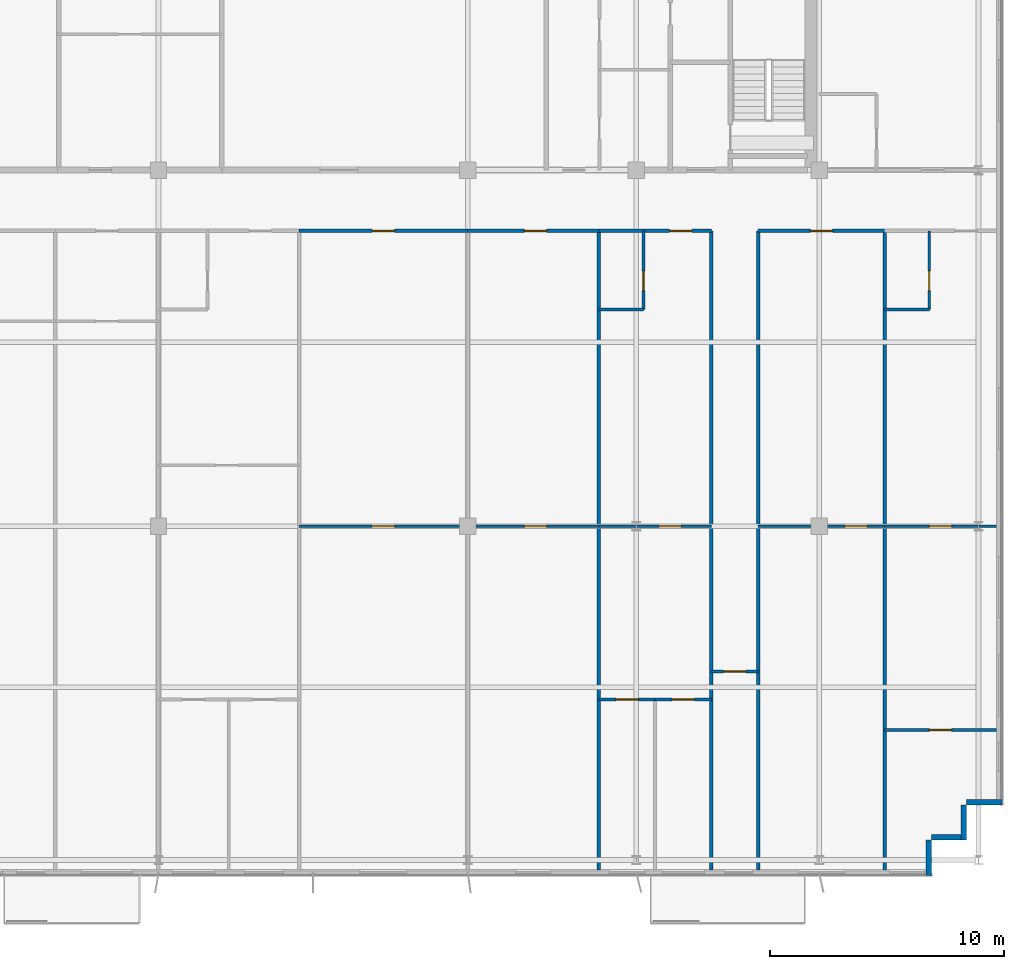
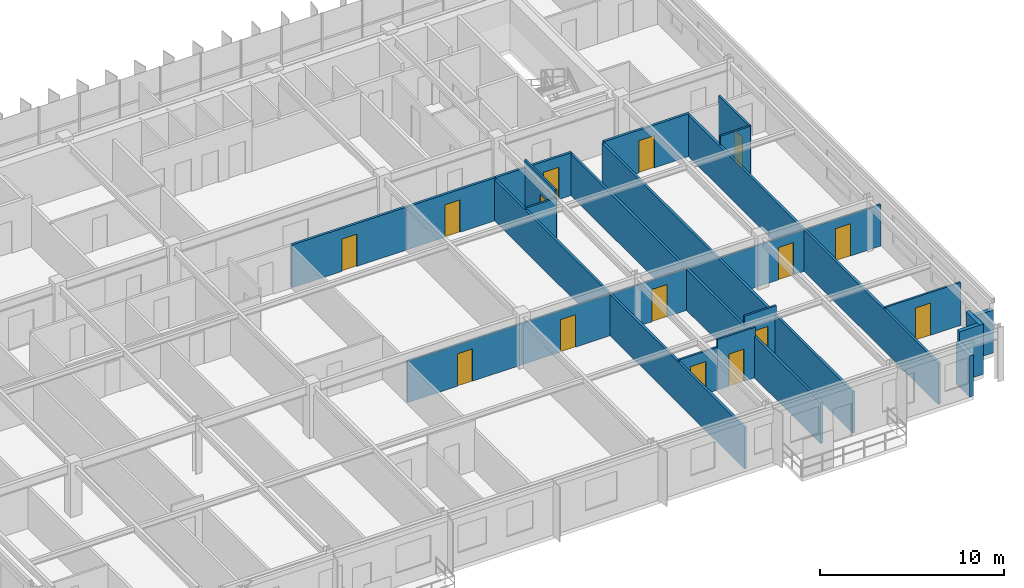
# One storey, part 16 of 21: 25 walls, 15 doors, 15 openings.
"""IFC4 building model written with IfcOpenShell, lengths in metres."""

from ifc_helpers import new_model, si_unit, direction, frame, frame_2d, origin, place, context, subcontext, project, spatial, rectangle, extrude, source, transform, mapped, material, layer, layer_set, type_object, element, fill, save


model = new_model("IFC4")

# Units and contexts
model_context = context("Model", 3, precision=1e-05, world=origin(), true_north=direction((0.0, 1.0)))
body_context = subcontext(model_context, "Body", "Model", "MODEL_VIEW")
ifc_project = project(units=[si_unit("LENGTHUNIT", "METRE"), si_unit("AREAUNIT", "SQUARE_METRE"), si_unit("VOLUMEUNIT", "CUBIC_METRE"), si_unit("PLANEANGLEUNIT", "RADIAN"), si_unit("MASSUNIT", "GRAM", prefix="KILO")], contexts=[model_context])

# Site, building, storey
site_placement = place(None, origin())
site = spatial("IfcSite", under=ifc_project, at=site_placement, CompositionType="ELEMENT")
building_placement = place(site_placement, origin())
building = spatial("IfcBuilding", under=site, at=building_placement, Name="Trelvane Seafront Commons", CompositionType="ELEMENT")
storey_placement = place(building_placement, frame((0.0, 0.0, 160.89990234375)))
storey = spatial("IfcBuildingStorey", under=building, at=storey_placement, Name="L42", CompositionType="ELEMENT", Elevation=160.89990234375)

# Walls
ifc_material_1 = material(Name="Precast concrete C40/50", Category="concrete")
ifc_layer_1 = layer(ifc_material_1, 0.239990234375, Name="ARCH-WALL-EXT240")
ifc_layer_set_1 = layer_set([ifc_layer_1], Name="Precast concrete C40/50")
wall_type_1 = type_object("IfcWallType", Name="ARCH-WALL-EXT240", PredefinedType="SOLIDWALL", material=ifc_layer_set_1)
wall_1_placement = place(storey_placement, frame((66.60009765625, 6.419921875, 0.0), z_axis=(0.0, 0.0, 1.0), x_axis=(-1.0, 0.0, 0.0)))
element("IfcWall", 1, at=wall_1_placement, inside=storey, type_object=wall_type_1, Name="EW-L42-00836", PredefinedType="SOLIDWALL", context=body_context, shape_type="SweptSolid", body=[
    extrude(rectangle(XDim=1.5, YDim=0.239990234375, at=frame_2d((0.75, 0.0))), origin(), (0.0, 0.0, 1.0), 2.85009765625),
])
for number, where, z_axis, x_axis, name in (
    (2, (64.97998046875, 6.300048828125, 0.0), (0.0, 0.0, 1.0), (0.0, -1.0, 0.0), "EW-L42-00837"),
    (3, (65.10009765625, 4.919921875, 0.0), (0.0, 0.0, 1.0), (-1.0, 0.0, 0.0), "EW-L42-00838"),
):
    element("IfcWall", number, at=place(storey_placement, frame(where, z_axis=z_axis, x_axis=x_axis)), inside=storey, type_object=wall_type_1, Name=name, PredefinedType="SOLIDWALL", context=body_context, shape_type="SweptSolid", body=[
        extrude(rectangle(XDim=1.5, YDim=0.239990234375, at=frame_2d((0.75, 0.0))), origin(), (0.0, 0.0, 1.0), 3.35009765625),
    ])
wall_2_placement = place(storey_placement, frame((63.47998046875, 4.800048828125, 0.0), z_axis=(0.0, 0.0, 1.0), x_axis=(0.0, -1.0, 0.0)))
element("IfcWall", 4, at=wall_2_placement, inside=storey, type_object=wall_type_1, Name="EW-L42-00839", PredefinedType="SOLIDWALL", context=body_context, shape_type="SweptSolid", body=[
    extrude(rectangle(XDim=1.5, YDim=0.239990234375, at=frame_2d((0.75, 0.0))), origin(), (0.0, 0.0, 1.0), 2.75),
])

# Wall, opening, door
ifc_material_2 = material(Name="Gypsum Drywall Acoustic Partition")
ifc_layer_2 = layer(ifc_material_2, 0.1201171875, Name="ARCH-WALL-PART120")
ifc_layer_set_2 = layer_set([ifc_layer_2], Name="Gypsum Drywall Acoustic Partition")
wall_type_2 = type_object("IfcWallType", Name="ARCH-WALL-PART120", PredefinedType="PARTITIONING", material=ifc_layer_set_2)
wall_3_placement = place(storey_placement, frame((36.60009765625, 18.199951171875, 0.0), z_axis=(0.0, 0.0, 1.0), x_axis=(1.0, 0.0, 0.0)))
wall_3 = element("IfcWall", 5, at=wall_3_placement, inside=storey, type_object=wall_type_2, Name="W-L42-U7-DIV-075", PredefinedType="PARTITIONING", context=body_context, shape_type="SweptSolid", body=[
    extrude(rectangle(XDim=7.199951171875, YDim=0.1201171875, at=frame_2d((3.60009765625, 0.0))), origin(), (0.0, 0.0, 1.0), 2.75),
])
opening_1_placement = place(wall_3_placement, frame((3.125, 0.0, 0.0)))
opening_1 = element("IfcOpeningElement", 6, at=opening_1_placement, cuts=wall_3, Name="Opening D-L42-45", PredefinedType="OPENING", context=body_context, shape_type="SweptSolid", body=[
    extrude(rectangle(XDim=0.949951171875, YDim=2.14990234375, at=frame_2d((0.47509765625, 1.074951171875))), frame((0.0, 0.070068359375, 0.0), z_axis=(0.0, -1.0, 0.0), x_axis=(1.0, 0.0, 0.0)), (0.0, 0.0, 1.0), 0.14013671875),
])
ifc_material_3 = material(Name="Acoustic timber door leaf", Category="wood")
door_type_1 = type_object("IfcDoorType", Name="ARCH-DR-INT950", OperationType="NOTDEFINED", PredefinedType="DOOR", material=ifc_material_3)
shared_shape_1 = source(origin(), body_context, "Body", "SweptSolid", [
    extrude(rectangle(XDim=0.949951171875, YDim=2.14990234375, at=frame_2d((0.47509765625, 1.074951171875))), frame((0.0, 0.02490234375, 0.0), z_axis=(0.0, -1.0, 0.0), x_axis=(1.0, 0.0, 0.0)), (0.0, 0.0, 1.0), 0.050048828125),
])
door_1_placement = place(opening_1_placement, origin())
door_1 = element("IfcDoor", 7, at=door_1_placement, inside=storey, type_object=door_type_1, Name="L42 Door 45", OperationType="SINGLE_SWING_LEFT", OverallHeight=2.14990234375, OverallWidth=0.949951171875, PredefinedType="DOOR", context=body_context, shape_type="MappedRepresentation", body=[
    mapped(shared_shape_1, transform((0.0, 0.0, 0.0), x_axis=(1.0, 0.0, 0.0), y_axis=(0.0, 1.0, 0.0), z_axis=(0.0, 0.0, 1.0), scale=1.0)),
])
fill(opening_1, door_1)

wall_4_placement = place(storey_placement, frame((43.800048828125, 18.199951171875, 0.0), z_axis=(0.0, 0.0, 1.0), x_axis=(1.0, 0.0, 0.0)))
wall_4 = element("IfcWall", 8, at=wall_4_placement, inside=storey, type_object=wall_type_2, Name="W-L42-U8-DIV-077", PredefinedType="PARTITIONING", context=body_context, shape_type="SweptSolid", body=[
    extrude(rectangle(XDim=5.599853515625, YDim=0.1201171875, at=frame_2d((2.7998046875, 0.0))), origin(), (0.0, 0.0, 1.0), 2.75),
])
opening_2_placement = place(wall_4_placement, frame((2.41796875, 0.0, 0.0)))
opening_2 = element("IfcOpeningElement", 9, at=opening_2_placement, cuts=wall_4, Name="Opening D-L42-47", PredefinedType="OPENING", context=body_context, shape_type="SweptSolid", body=[
    extrude(rectangle(XDim=0.949951171875, YDim=2.14990234375, at=frame_2d((0.47509765625, 1.074951171875))), frame((0.0, 0.070068359375, 0.0), z_axis=(0.0, -1.0, 0.0), x_axis=(1.0, 0.0, 0.0)), (0.0, 0.0, 1.0), 0.14013671875),
])
door_2_placement = place(opening_2_placement, origin())
door_2 = element("IfcDoor", 10, at=door_2_placement, inside=storey, type_object=door_type_1, Name="L42 Door 47", OperationType="SINGLE_SWING_LEFT", OverallHeight=2.14990234375, OverallWidth=0.949951171875, PredefinedType="DOOR", context=body_context, shape_type="MappedRepresentation", body=[
    mapped(shared_shape_1, transform((0.0, 0.0, 0.0), x_axis=(1.0, 0.0, 0.0), y_axis=(0.0, 1.0, 0.0), z_axis=(0.0, 0.0, 1.0), scale=1.0)),
])
fill(opening_2, door_2)

wall_5_placement = place(storey_placement, frame((49.39990234375, 18.199951171875, 0.0), z_axis=(0.0, 0.0, 1.0), x_axis=(1.0, 0.0, 0.0)))
wall_5 = element("IfcWall", 11, at=wall_5_placement, inside=storey, type_object=wall_type_2, Name="W-L42-U9-KL-078", PredefinedType="PARTITIONING", context=body_context, shape_type="SweptSolid", body=[
    extrude(rectangle(XDim=4.800048828125, YDim=0.1201171875, at=frame_2d((2.39990234375, 0.0))), origin(), (0.0, 0.0, 1.0), 2.75),
])
opening_3_placement = place(wall_5_placement, frame((2.56103515625, 0.0, 0.0)))
opening_3 = element("IfcOpeningElement", 12, at=opening_3_placement, cuts=wall_5, Name="Opening D-L42-48", PredefinedType="OPENING", context=body_context, shape_type="SweptSolid", body=[
    extrude(rectangle(XDim=0.949951171875, YDim=2.14990234375, at=frame_2d((0.47509765625, 1.074951171875))), frame((0.0, 0.070068359375, 0.0), z_axis=(0.0, -1.0, 0.0), x_axis=(1.0, 0.0, 0.0)), (0.0, 0.0, 1.0), 0.14013671875),
])
door_3_placement = place(opening_3_placement, origin())
door_3 = element("IfcDoor", 13, at=door_3_placement, inside=storey, type_object=door_type_1, Name="L42 Door 48", OperationType="SINGLE_SWING_RIGHT", OverallHeight=2.14990234375, OverallWidth=0.949951171875, PredefinedType="DOOR", context=body_context, shape_type="MappedRepresentation", body=[
    mapped(shared_shape_1, transform((0.0, 0.0, 0.0), x_axis=(1.0, 0.0, 0.0), y_axis=(0.0, 1.0, 0.0), z_axis=(0.0, 0.0, 1.0), scale=1.0)),
])
fill(opening_3, door_3)

wall_6_placement = place(storey_placement, frame((51.300048828125, 27.449951171875, 0.0), z_axis=(0.0, 0.0, 1.0), x_axis=(0.0, 1.0, 0.0)))
wall_6 = element("IfcWall", 14, at=wall_6_placement, inside=storey, type_object=wall_type_2, Name="W-L42-U9-BE-079", PredefinedType="PARTITIONING", context=body_context, shape_type="SweptSolid", body=[
    extrude(rectangle(XDim=3.35009765625, YDim=0.1201171875, at=frame_2d((1.675048828125, 0.0))), origin(), (0.0, 0.0, 1.0), 3.35009765625),
])
opening_4_placement = place(wall_6_placement, frame((0.800048828125, 0.0, 0.0)))
opening_4 = element("IfcOpeningElement", 15, at=opening_4_placement, cuts=wall_6, Name="Opening D-L42-49", PredefinedType="OPENING", context=body_context, shape_type="SweptSolid", body=[
    extrude(rectangle(XDim=0.85009765625, YDim=2.10009765625, at=frame_2d((0.425048828125, 1.050048828125))), frame((0.0, 0.070068359375, 0.0), z_axis=(0.0, -1.0, 0.0), x_axis=(1.0, 0.0, 0.0)), (0.0, 0.0, 1.0), 0.14013671875),
])
door_type_2 = type_object("IfcDoorType", Name="ARCH-DR-INT850", OperationType="NOTDEFINED", PredefinedType="DOOR", material=ifc_material_3)
shared_shape_2 = source(origin(), body_context, "Body", "SweptSolid", [
    extrude(rectangle(XDim=0.85009765625, YDim=2.10009765625, at=frame_2d((0.425048828125, 1.050048828125))), frame((0.0, 0.02490234375, 0.0), z_axis=(0.0, -1.0, 0.0), x_axis=(1.0, 0.0, 0.0)), (0.0, 0.0, 1.0), 0.050048828125),
])
door_4_placement = place(opening_4_placement, origin())
door_4 = element("IfcDoor", 16, at=door_4_placement, inside=storey, type_object=door_type_2, Name="L42 Door 49", OperationType="SINGLE_SWING_LEFT", OverallHeight=2.10009765625, OverallWidth=0.85009765625, PredefinedType="DOOR", context=body_context, shape_type="MappedRepresentation", body=[
    mapped(shared_shape_2, transform((0.0, 0.0, 0.0), x_axis=(1.0, 0.0, 0.0), y_axis=(0.0, 1.0, 0.0), z_axis=(0.0, 0.0, 1.0), scale=1.0)),
])
fill(opening_4, door_4)

# Wall
wall_7_placement = place(storey_placement, frame((49.39990234375, 27.449951171875, 0.0), z_axis=(0.0, 0.0, 1.0), x_axis=(1.0, 0.0, 0.0)))
element("IfcWall", 17, at=wall_7_placement, inside=storey, type_object=wall_type_2, Name="W-L42-U9-BS-080", PredefinedType="PARTITIONING", context=body_context, shape_type="SweptSolid", body=[
    extrude(rectangle(XDim=1.900146484375, YDim=0.1201171875, at=frame_2d((0.9501953125, 0.0))), origin(), (0.0, 0.0, 1.0), 2.85009765625),
])

# Wall, opening, door
wall_8_placement = place(storey_placement, frame((49.39990234375, 10.800048828125, 0.0), z_axis=(0.0, 0.0, 1.0), x_axis=(1.0, 0.0, 0.0)))
wall_8 = element("IfcWall", 18, at=wall_8_placement, inside=storey, type_object=wall_type_2, Name="W-L42-U9-YM-1-082", PredefinedType="PARTITIONING", context=body_context, shape_type="SweptSolid", body=[
    extrude(rectangle(XDim=2.400146484375, YDim=0.1201171875, at=frame_2d((1.2001953125, 0.0))), origin(), (0.0, 0.0, 1.0), 2.85009765625),
])
opening_5_placement = place(wall_8_placement, frame((0.72509765625, 0.0, 0.0)))
opening_5 = element("IfcOpeningElement", 19, at=opening_5_placement, cuts=wall_8, Name="Opening D-L42-51", PredefinedType="OPENING", context=body_context, shape_type="SweptSolid", body=[
    extrude(rectangle(XDim=0.949951171875, YDim=2.14990234375, at=frame_2d((0.47509765625, 1.074951171875))), frame((0.0, 0.070068359375, 0.0), z_axis=(0.0, -1.0, 0.0), x_axis=(1.0, 0.0, 0.0)), (0.0, 0.0, 1.0), 0.14013671875),
])
door_5_placement = place(opening_5_placement, origin())
door_5 = element("IfcDoor", 20, at=door_5_placement, inside=storey, type_object=door_type_1, Name="L42 Door 51", OperationType="SINGLE_SWING_LEFT", OverallHeight=2.14990234375, OverallWidth=0.949951171875, PredefinedType="DOOR", context=body_context, shape_type="MappedRepresentation", body=[
    mapped(shared_shape_1, transform((0.0, 0.0, 0.0), x_axis=(1.0, 0.0, 0.0), y_axis=(0.0, 1.0, 0.0), z_axis=(0.0, 0.0, 1.0), scale=1.0)),
])
fill(opening_5, door_5)

wall_9_placement = place(storey_placement, frame((51.800048828125, 10.800048828125, 0.0), z_axis=(0.0, 0.0, 1.0), x_axis=(1.0, 0.0, 0.0)))
wall_9 = element("IfcWall", 21, at=wall_9_placement, inside=storey, type_object=wall_type_2, Name="W-L42-U9-YM-2-083", PredefinedType="PARTITIONING", context=body_context, shape_type="SweptSolid", body=[
    extrude(rectangle(XDim=2.39990234375, YDim=0.1201171875, at=frame_2d((1.199951171875, 0.0))), origin(), (0.0, 0.0, 1.0), 3.35009765625),
])
opening_6_placement = place(wall_9_placement, frame((0.72509765625, 0.0, 0.0)))
opening_6 = element("IfcOpeningElement", 22, at=opening_6_placement, cuts=wall_9, Name="Opening D-L42-52", PredefinedType="OPENING", context=body_context, shape_type="SweptSolid", body=[
    extrude(rectangle(XDim=0.949951171875, YDim=2.14990234375, at=frame_2d((0.47509765625, 1.074951171875))), frame((0.0, 0.070068359375, 0.0), z_axis=(0.0, -1.0, 0.0), x_axis=(1.0, 0.0, 0.0)), (0.0, 0.0, 1.0), 0.14013671875),
])
door_6_placement = place(opening_6_placement, origin())
door_6 = element("IfcDoor", 23, at=door_6_placement, inside=storey, type_object=door_type_1, Name="L42 Door 52", OperationType="SINGLE_SWING_RIGHT", OverallHeight=2.14990234375, OverallWidth=0.949951171875, PredefinedType="DOOR", context=body_context, shape_type="MappedRepresentation", body=[
    mapped(shared_shape_1, transform((0.0, 0.0, 0.0), x_axis=(1.0, 0.0, 0.0), y_axis=(0.0, 1.0, 0.0), z_axis=(0.0, 0.0, 1.0), scale=1.0)),
])
fill(opening_6, door_6)

wall_10_placement = place(storey_placement, frame((54.199951171875, 12.0, 0.0), z_axis=(0.0, 0.0, 1.0), x_axis=(1.0, 0.0, 0.0)))
wall_10 = element("IfcWall", 24, at=wall_10_placement, inside=storey, type_object=wall_type_2, Name="W-L42-ARM-END-10-087", PredefinedType="PARTITIONING", context=body_context, shape_type="SweptSolid", body=[
    extrude(rectangle(XDim=2.0, YDim=0.1201171875, at=frame_2d((1.0, 0.0))), origin(), (0.0, 0.0, 1.0), 3.35009765625),
])
opening_7_placement = place(wall_10_placement, frame((0.52001953125, 0.0, 0.0)))
opening_7 = element("IfcOpeningElement", 25, at=opening_7_placement, cuts=wall_10, Name="Opening D-L42-53", PredefinedType="OPENING", context=body_context, shape_type="SweptSolid", body=[
    extrude(rectangle(XDim=0.949951171875, YDim=2.14990234375, at=frame_2d((0.47509765625, 1.074951171875))), frame((0.0, 0.070068359375, 0.0), z_axis=(0.0, -1.0, 0.0), x_axis=(1.0, 0.0, 0.0)), (0.0, 0.0, 1.0), 0.14013671875),
])
door_7_placement = place(opening_7_placement, origin())
door_7 = element("IfcDoor", 26, at=door_7_placement, inside=storey, type_object=door_type_1, Name="L42 Door 53", OperationType="SINGLE_SWING_LEFT", OverallHeight=2.14990234375, OverallWidth=0.949951171875, PredefinedType="DOOR", context=body_context, shape_type="MappedRepresentation", body=[
    mapped(shared_shape_1, transform((0.0, 0.0, 0.0), x_axis=(1.0, 0.0, 0.0), y_axis=(0.0, 1.0, 0.0), z_axis=(0.0, 0.0, 1.0), scale=1.0)),
])
fill(opening_7, door_7)

wall_11_placement = place(storey_placement, frame((56.199951171875, 18.199951171875, 0.0), z_axis=(0.0, 0.0, 1.0), x_axis=(1.0, 0.0, 0.0)))
wall_11 = element("IfcWall", 27, at=wall_11_placement, inside=storey, type_object=wall_type_2, Name="W-L42-U11-DIV-089", PredefinedType="PARTITIONING", context=body_context, shape_type="SweptSolid", body=[
    extrude(rectangle(XDim=5.400146484375, YDim=0.1201171875, at=frame_2d((2.7001953125, 0.0))), origin(), (0.0, 0.0, 1.0), 2.75),
])
opening_8_placement = place(wall_11_placement, frame((3.700927734375, 0.0, 0.0)))
opening_8 = element("IfcOpeningElement", 28, at=opening_8_placement, cuts=wall_11, Name="Opening D-L42-55", PredefinedType="OPENING", context=body_context, shape_type="SweptSolid", body=[
    extrude(rectangle(XDim=0.949951171875, YDim=2.14990234375, at=frame_2d((0.47509765625, 1.074951171875))), frame((0.0, 0.070068359375, 0.0), z_axis=(0.0, -1.0, 0.0), x_axis=(1.0, 0.0, 0.0)), (0.0, 0.0, 1.0), 0.14013671875),
])
door_8_placement = place(opening_8_placement, origin())
door_8 = element("IfcDoor", 29, at=door_8_placement, inside=storey, type_object=door_type_1, Name="L42 Door 55", OperationType="SINGLE_SWING_LEFT", OverallHeight=2.14990234375, OverallWidth=0.949951171875, PredefinedType="DOOR", context=body_context, shape_type="MappedRepresentation", body=[
    mapped(shared_shape_1, transform((0.0, 0.0, 0.0), x_axis=(1.0, 0.0, 0.0), y_axis=(0.0, 1.0, 0.0), z_axis=(0.0, 0.0, 1.0), scale=1.0)),
])
fill(opening_8, door_8)

wall_12_placement = place(storey_placement, frame((61.60009765625, 18.199951171875, 0.0), z_axis=(0.0, 0.0, 1.0), x_axis=(1.0, 0.0, 0.0)))
wall_12 = element("IfcWall", 30, at=wall_12_placement, inside=storey, type_object=wall_type_2, Name="W-L42-U12-KL-090", PredefinedType="PARTITIONING", context=body_context, shape_type="SweptSolid", body=[
    extrude(rectangle(XDim=4.760009765625, YDim=0.1201171875, at=frame_2d((2.3798828125, 0.0))), origin(), (0.0, 0.0, 1.0), 2.75),
])
opening_9_placement = place(wall_12_placement, frame((1.905029296875, 0.0, 0.0)))
opening_9 = element("IfcOpeningElement", 31, at=opening_9_placement, cuts=wall_12, Name="Opening D-L42-56", PredefinedType="OPENING", context=body_context, shape_type="SweptSolid", body=[
    extrude(rectangle(XDim=0.949951171875, YDim=2.14990234375, at=frame_2d((0.47509765625, 1.074951171875))), frame((0.0, 0.070068359375, 0.0), z_axis=(0.0, -1.0, 0.0), x_axis=(1.0, 0.0, 0.0)), (0.0, 0.0, 1.0), 0.14013671875),
])
door_9_placement = place(opening_9_placement, origin())
door_9 = element("IfcDoor", 32, at=door_9_placement, inside=storey, type_object=door_type_1, Name="L42 Door 56", OperationType="SINGLE_SWING_RIGHT", OverallHeight=2.14990234375, OverallWidth=0.949951171875, PredefinedType="DOOR", context=body_context, shape_type="MappedRepresentation", body=[
    mapped(shared_shape_1, transform((0.0, 0.0, 0.0), x_axis=(1.0, 0.0, 0.0), y_axis=(0.0, 1.0, 0.0), z_axis=(0.0, 0.0, 1.0), scale=1.0)),
])
fill(opening_9, door_9)

wall_13_placement = place(storey_placement, frame((63.5, 27.449951171875, 0.0), z_axis=(0.0, 0.0, 1.0), x_axis=(0.0, 1.0, 0.0)))
wall_13 = element("IfcWall", 33, at=wall_13_placement, inside=storey, type_object=wall_type_2, Name="W-L42-U12-BE-091", PredefinedType="PARTITIONING", context=body_context, shape_type="SweptSolid", body=[
    extrude(rectangle(XDim=3.35009765625, YDim=0.1201171875, at=frame_2d((1.675048828125, 0.0))), origin(), (0.0, 0.0, 1.0), 3.35009765625),
])
opening_10_placement = place(wall_13_placement, frame((0.800048828125, 0.0, 0.0)))
opening_10 = element("IfcOpeningElement", 34, at=opening_10_placement, cuts=wall_13, Name="Opening D-L42-57", PredefinedType="OPENING", context=body_context, shape_type="SweptSolid", body=[
    extrude(rectangle(XDim=0.85009765625, YDim=2.10009765625, at=frame_2d((0.425048828125, 1.050048828125))), frame((0.0, 0.070068359375, 0.0), z_axis=(0.0, -1.0, 0.0), x_axis=(1.0, 0.0, 0.0)), (0.0, 0.0, 1.0), 0.14013671875),
])
door_10_placement = place(opening_10_placement, origin())
door_10 = element("IfcDoor", 35, at=door_10_placement, inside=storey, type_object=door_type_2, Name="L42 Door 57", OperationType="SINGLE_SWING_LEFT", OverallHeight=2.10009765625, OverallWidth=0.85009765625, PredefinedType="DOOR", context=body_context, shape_type="MappedRepresentation", body=[
    mapped(shared_shape_2, transform((0.0, 0.0, 0.0), x_axis=(1.0, 0.0, 0.0), y_axis=(0.0, 1.0, 0.0), z_axis=(0.0, 0.0, 1.0), scale=1.0)),
])
fill(opening_10, door_10)

# Wall
wall_14_placement = place(storey_placement, frame((61.60009765625, 27.449951171875, 0.0), z_axis=(0.0, 0.0, 1.0), x_axis=(1.0, 0.0, 0.0)))
element("IfcWall", 36, at=wall_14_placement, inside=storey, type_object=wall_type_2, Name="W-L42-U12-BS-092", PredefinedType="PARTITIONING", context=body_context, shape_type="SweptSolid", body=[
    extrude(rectangle(XDim=1.89990234375, YDim=0.1201171875, at=frame_2d((0.949951171875, 0.0))), origin(), (0.0, 0.0, 1.0), 3.35009765625),
])

# Wall, opening, door
wall_15_placement = place(storey_placement, frame((61.60009765625, 9.5, 0.0), z_axis=(0.0, 0.0, 1.0), x_axis=(1.0, 0.0, 0.0)))
wall_15 = element("IfcWall", 37, at=wall_15_placement, inside=storey, type_object=wall_type_2, Name="W-L42-U12-YM-1-094", PredefinedType="PARTITIONING", context=body_context, shape_type="SweptSolid", body=[
    extrude(rectangle(XDim=4.760009765625, YDim=0.1201171875, at=frame_2d((2.3798828125, 0.0))), origin(), (0.0, 0.0, 1.0), 2.85009765625),
])
opening_11_placement = place(wall_15_placement, frame((1.905029296875, 0.0, 0.0)))
opening_11 = element("IfcOpeningElement", 38, at=opening_11_placement, cuts=wall_15, Name="Opening D-L42-59", PredefinedType="OPENING", context=body_context, shape_type="SweptSolid", body=[
    extrude(rectangle(XDim=0.949951171875, YDim=2.14990234375, at=frame_2d((0.47509765625, 1.074951171875))), frame((0.0, 0.070068359375, 0.0), z_axis=(0.0, -1.0, 0.0), x_axis=(1.0, 0.0, 0.0)), (0.0, 0.0, 1.0), 0.14013671875),
])
door_11_placement = place(opening_11_placement, origin())
door_11 = element("IfcDoor", 39, at=door_11_placement, inside=storey, type_object=door_type_1, Name="L42 Door 59", OperationType="SINGLE_SWING_LEFT", OverallHeight=2.14990234375, OverallWidth=0.949951171875, PredefinedType="DOOR", context=body_context, shape_type="MappedRepresentation", body=[
    mapped(shared_shape_1, transform((0.0, 0.0, 0.0), x_axis=(1.0, 0.0, 0.0), y_axis=(0.0, 1.0, 0.0), z_axis=(0.0, 0.0, 1.0), scale=1.0)),
])
fill(opening_11, door_11)

# Walls
ifc_layer_3 = layer(ifc_material_2, 0.14990234375, Name="ARCH-WALL-PART150")
ifc_layer_set_3 = layer_set([ifc_layer_3], Name="Gypsum Drywall Acoustic Partition")
wall_type_3 = type_object("IfcWallType", Name="ARCH-WALL-PART150", PredefinedType="PARTITIONING", material=ifc_layer_set_3)
for number, where, z_axis, x_axis, name in (
    (40, (49.39990234375, 3.52490234375, 0.0), (0.0, 0.0, 1.0), (0.0, 1.0, 0.0), "W-L42-PW-8-051"),
    (41, (61.60009765625, 3.52490234375, 0.0), (0.0, 0.0, 1.0), (0.0, 1.0, 0.0), "W-L42-PW-11-052"),
):
    element("IfcWall", number, at=place(storey_placement, frame(where, z_axis=z_axis, x_axis=x_axis)), inside=storey, type_object=wall_type_3, Name=name, PredefinedType="PARTITIONING", context=body_context, shape_type="SweptSolid", body=[
        extrude(rectangle(XDim=27.275146484375, YDim=0.14990234375, at=frame_2d((13.6376953125, 0.0))), origin(), (0.0, 0.0, 1.0), 2.75),
    ])

# Wall, opening, door
wall_16_placement = place(storey_placement, frame((36.60009765625, 30.800048828125, 0.0), z_axis=(0.0, 0.0, 1.0), x_axis=(1.0, 0.0, 0.0)))
wall_16 = element("IfcWall", 42, at=wall_16_placement, inside=storey, type_object=wall_type_3, Name="W-L42-CS-BAY-7-074", PredefinedType="PARTITIONING", context=body_context, shape_type="SweptSolid", body=[
    extrude(rectangle(XDim=7.199951171875, YDim=0.14990234375, at=frame_2d((3.60009765625, 0.0))), origin(), (0.0, 0.0, 1.0), 2.85009765625),
])
opening_12_placement = place(wall_16_placement, frame((3.125, 0.0, 0.0)))
opening_12 = element("IfcOpeningElement", 43, at=opening_12_placement, cuts=wall_16, Name="Opening FD-L42-44", PredefinedType="OPENING", context=body_context, shape_type="SweptSolid", body=[
    extrude(rectangle(XDim=0.949951171875, YDim=2.14990234375, at=frame_2d((0.47509765625, 1.074951171875))), frame((0.0, 0.0849609375, 0.0), z_axis=(0.0, -1.0, 0.0), x_axis=(1.0, 0.0, 0.0)), (0.0, 0.0, 1.0), 0.169921875),
])
ifc_material_4 = material(Name="Powder-coated aluminium frame", Category="aluminium")
door_type_3 = type_object("IfcDoorType", Name="ARCH-DR-FD60-950", OperationType="NOTDEFINED", PredefinedType="DOOR", material=ifc_material_4)
door_12_placement = place(opening_12_placement, origin())
door_12 = element("IfcDoor", 44, at=door_12_placement, inside=storey, type_object=door_type_3, Name="L42 Bay 07 Entrance Door", OperationType="SINGLE_SWING_RIGHT", OverallHeight=2.14990234375, OverallWidth=0.949951171875, PredefinedType="DOOR", context=body_context, shape_type="MappedRepresentation", body=[
    mapped(shared_shape_1, transform((0.0, 0.0, 0.0), x_axis=(1.0, 0.0, 0.0), y_axis=(0.0, 1.0, 0.0), z_axis=(0.0, 0.0, 1.0), scale=1.0)),
])
fill(opening_12, door_12)

wall_17_placement = place(storey_placement, frame((43.800048828125, 30.800048828125, 0.0), z_axis=(0.0, 0.0, 1.0), x_axis=(1.0, 0.0, 0.0)))
wall_17 = element("IfcWall", 45, at=wall_17_placement, inside=storey, type_object=wall_type_3, Name="W-L42-CS-BAY-8-076", PredefinedType="PARTITIONING", context=body_context, shape_type="SweptSolid", body=[
    extrude(rectangle(XDim=5.599853515625, YDim=0.14990234375, at=frame_2d((2.7998046875, 0.0))), origin(), (0.0, 0.0, 1.0), 2.85009765625),
])
opening_13_placement = place(wall_17_placement, frame((2.41796875, 0.0, 0.0)))
opening_13 = element("IfcOpeningElement", 46, at=opening_13_placement, cuts=wall_17, Name="Opening FD-L42-46", PredefinedType="OPENING", context=body_context, shape_type="SweptSolid", body=[
    extrude(rectangle(XDim=0.949951171875, YDim=2.14990234375, at=frame_2d((0.47509765625, 1.074951171875))), frame((0.0, 0.0849609375, 0.0), z_axis=(0.0, -1.0, 0.0), x_axis=(1.0, 0.0, 0.0)), (0.0, 0.0, 1.0), 0.169921875),
])
door_13_placement = place(opening_13_placement, origin())
door_13 = element("IfcDoor", 47, at=door_13_placement, inside=storey, type_object=door_type_3, Name="L42 Bay 08 Entrance Door", OperationType="SINGLE_SWING_RIGHT", OverallHeight=2.14990234375, OverallWidth=0.949951171875, PredefinedType="DOOR", context=body_context, shape_type="MappedRepresentation", body=[
    mapped(shared_shape_1, transform((0.0, 0.0, 0.0), x_axis=(1.0, 0.0, 0.0), y_axis=(0.0, 1.0, 0.0), z_axis=(0.0, 0.0, 1.0), scale=1.0)),
])
fill(opening_13, door_13)

wall_18_placement = place(storey_placement, frame((49.39990234375, 30.800048828125, 0.0), z_axis=(0.0, 0.0, 1.0), x_axis=(1.0, 0.0, 0.0)))
wall_18 = element("IfcWall", 48, at=wall_18_placement, inside=storey, type_object=wall_type_3, Name="W-L42-CS-BAY-9-081", PredefinedType="PARTITIONING", context=body_context, shape_type="SweptSolid", body=[
    extrude(rectangle(XDim=4.800048828125, YDim=0.14990234375, at=frame_2d((2.39990234375, 0.0))), origin(), (0.0, 0.0, 1.0), 2.85009765625),
])
opening_14_placement = place(wall_18_placement, frame((3.01904296875, 0.0, 0.0)))
opening_14 = element("IfcOpeningElement", 49, at=opening_14_placement, cuts=wall_18, Name="Opening FD-L42-50", PredefinedType="OPENING", context=body_context, shape_type="SweptSolid", body=[
    extrude(rectangle(XDim=0.949951171875, YDim=2.14990234375, at=frame_2d((0.47509765625, 1.074951171875))), frame((0.0, 0.0849609375, 0.0), z_axis=(0.0, -1.0, 0.0), x_axis=(1.0, 0.0, 0.0)), (0.0, 0.0, 1.0), 0.169921875),
])
door_14_placement = place(opening_14_placement, origin())
door_14 = element("IfcDoor", 50, at=door_14_placement, inside=storey, type_object=door_type_3, Name="L42 Unit 09 Entrance Door", OperationType="SINGLE_SWING_RIGHT", OverallHeight=2.14990234375, OverallWidth=0.949951171875, PredefinedType="DOOR", context=body_context, shape_type="MappedRepresentation", body=[
    mapped(shared_shape_1, transform((0.0, 0.0, 0.0), x_axis=(1.0, 0.0, 0.0), y_axis=(0.0, 1.0, 0.0), z_axis=(0.0, 0.0, 1.0), scale=1.0)),
])
fill(opening_14, door_14)

# Walls
for number, where, z_axis, x_axis, name in (
    (51, (54.199951171875, 3.52490234375, 0.0), (0.0, 0.0, 1.0), (0.0, 1.0, 0.0), "W-L42-ARM-W-10-085"),
    (52, (56.199951171875, 3.52490234375, 0.0), (0.0, 0.0, 1.0), (0.0, 1.0, 0.0), "W-L42-ARM-E-10-086"),
):
    element("IfcWall", number, at=place(storey_placement, frame(where, z_axis=z_axis, x_axis=x_axis)), inside=storey, type_object=wall_type_3, Name=name, PredefinedType="PARTITIONING", context=body_context, shape_type="SweptSolid", body=[
        extrude(rectangle(XDim=27.275146484375, YDim=0.14990234375, at=frame_2d((13.6376953125, 0.0))), origin(), (0.0, 0.0, 1.0), 2.75),
    ])

# Wall, opening, door
wall_19_placement = place(storey_placement, frame((56.199951171875, 30.800048828125, 0.0), z_axis=(0.0, 0.0, 1.0), x_axis=(1.0, 0.0, 0.0)))
wall_19 = element("IfcWall", 53, at=wall_19_placement, inside=storey, type_object=wall_type_3, Name="W-L42-CS-BAY-11-088", PredefinedType="PARTITIONING", context=body_context, shape_type="SweptSolid", body=[
    extrude(rectangle(XDim=5.400146484375, YDim=0.14990234375, at=frame_2d((2.7001953125, 0.0))), origin(), (0.0, 0.0, 1.0), 2.85009765625),
])
opening_15_placement = place(wall_19_placement, frame((2.22509765625, 0.0, 0.0)))
opening_15 = element("IfcOpeningElement", 54, at=opening_15_placement, cuts=wall_19, Name="Opening FD-L42-54", PredefinedType="OPENING", context=body_context, shape_type="SweptSolid", body=[
    extrude(rectangle(XDim=0.949951171875, YDim=2.14990234375, at=frame_2d((0.47509765625, 1.074951171875))), frame((0.0, 0.0849609375, 0.0), z_axis=(0.0, -1.0, 0.0), x_axis=(1.0, 0.0, 0.0)), (0.0, 0.0, 1.0), 0.169921875),
])
door_15_placement = place(opening_15_placement, origin())
door_15 = element("IfcDoor", 55, at=door_15_placement, inside=storey, type_object=door_type_3, Name="L42 Bay 11 Entrance Door", OperationType="SINGLE_SWING_RIGHT", OverallHeight=2.14990234375, OverallWidth=0.949951171875, PredefinedType="DOOR", context=body_context, shape_type="MappedRepresentation", body=[
    mapped(shared_shape_1, transform((0.0, 0.0, 0.0), x_axis=(1.0, 0.0, 0.0), y_axis=(0.0, 1.0, 0.0), z_axis=(0.0, 0.0, 1.0), scale=1.0)),
])
fill(opening_15, door_15)

save(model, "model.ifc")
